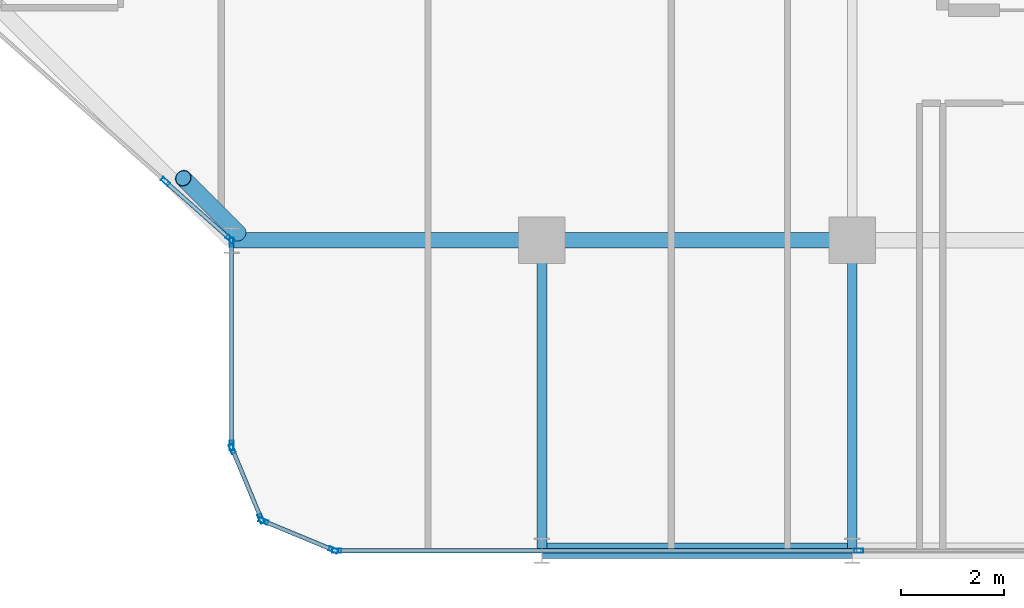
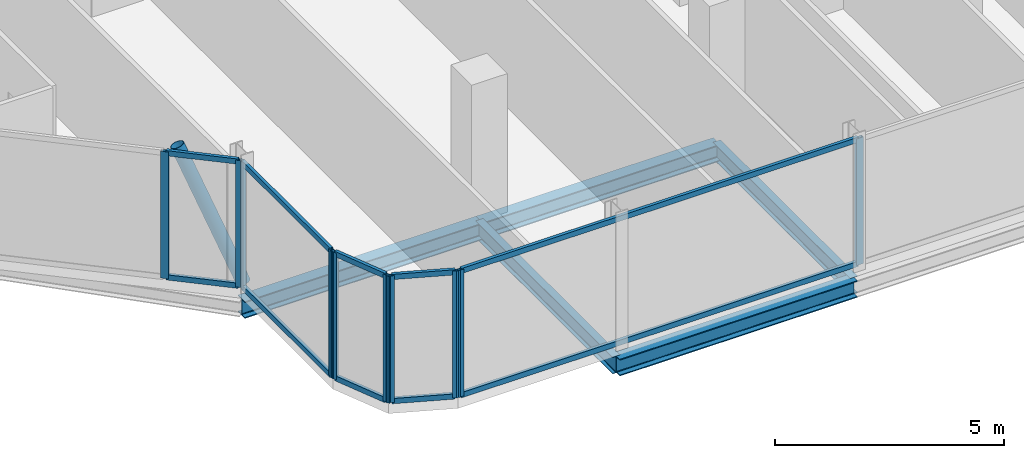
# One storey, part 5 of 32: 21 members, 5 beams, 5 elements without a shape of their own.
"""IFC4 building model written with IfcOpenShell, lengths in metres."""

from ifc_helpers import new_model, si_unit, direction, frame, origin, origin_2d, place, context, subcontext, project, spatial, hollow_rectangle, hollow_circle, i_section, extrude, material, layer, layer_set, material_profile, profile_set, type_object, element, aggregate, save


model = new_model("IFC4")

# Units and contexts
model_context = context("Model", 3, precision=1e-05, world=origin(), true_north=direction((0.0, 1.0)))
body_context = subcontext(model_context, "Body", "Model", "MODEL_VIEW")
ifc_project = project(units=[si_unit("LENGTHUNIT", "METRE"), si_unit("AREAUNIT", "SQUARE_METRE"), si_unit("VOLUMEUNIT", "CUBIC_METRE"), si_unit("PLANEANGLEUNIT", "RADIAN"), si_unit("MASSUNIT", "GRAM", prefix="KILO")], contexts=[model_context])

# Site, building, storey
site_placement = place(None, origin())
site = spatial("IfcSite", under=ifc_project, at=site_placement, CompositionType="ELEMENT")
building_placement = place(site_placement, origin())
building = spatial("IfcBuilding", under=site, at=building_placement, Name="Keshet Zoharim Tower", CompositionType="ELEMENT")
storey_placement = place(building_placement, frame((0.0, 0.0, 137.199951171875)))
storey = spatial("IfcBuildingStorey", under=building, at=storey_placement, Name="L33", CompositionType="ELEMENT", Elevation=137.199951171875)

# Beams
ifc_material_1 = material(Name="Steel S355", Category="steel")
ifc_material_profile_1 = material_profile(ifc_material_1, i_section(OverallWidth=0.18994140625, OverallDepth=0.449951171875, WebThickness=0.009521484375, FlangeThickness=0.0146484375, FilletRadius=0.02099609375, at=origin_2d()), Name="IPE450")
ifc_profile_set_1 = profile_set([ifc_material_profile_1], Name="Steel S355")
beam_type_1 = type_object("IfcBeamType", Name="BM-PRI-IP450", PredefinedType="BEAM", material=ifc_profile_set_1)
for number, where, z_axis, x_axis, name in (
    (1, (27.0, 0.699951171875, -0.5400390625), (0.0, 1.0, 0.0), (-1.0, 0.0, 0.0), "L33 Primary Girder Y-004"),
    (2, (33.0, 0.699951171875, -0.5400390625), (0.0, 1.0, 0.0), (-1.0, 0.0, 0.0), "L33 Primary Girder Y-005"),
):
    element("IfcBeam", number, at=place(storey_placement, frame(where, z_axis=z_axis, x_axis=x_axis)), inside=storey, type_object=beam_type_1, Name=name, PredefinedType="BEAM", context=body_context, shape_type="SweptSolid", body=[
        extrude(i_section(OverallWidth=0.18994140625, OverallDepth=0.449951171875, WebThickness=0.009521484375, FlangeThickness=0.0146484375, FilletRadius=0.02099609375, at=origin_2d()), origin(), (0.0, 0.0, 1.0), 6.0),
    ])
ifc_material_profile_2 = material_profile(ifc_material_1, i_section(OverallWidth=0.300048828125, OverallDepth=0.449951171875, WebThickness=0.013916015625, FlangeThickness=0.02587890625, FilletRadius=0.027099609375, at=origin_2d()), Name="HEB450")
ifc_profile_set_2 = profile_set([ifc_material_profile_2], Name="Steel S355")
beam_type_2 = type_object("IfcBeamType", Name="BM-WEB-HB450", PredefinedType="BEAM", material=ifc_profile_set_2)
for number, where, z_axis, x_axis, name in (
    (3, (27.0, 0.699951171875, -0.5400390625), (1.0, 0.0, 0.0), (0.0, 1.0, 0.0), "L33 Primary Girder X-001"),
    (4, (21.0, 6.699951171875, -0.5400390625), (1.0, 0.0, 0.0), (0.0, 1.0, 0.0), "L33 Primary Girder X-005"),
    (5, (27.0, 6.699951171875, -0.5400390625), (1.0, 0.0, 0.0), (0.0, 1.0, 0.0), "L33 Primary Girder X-006"),
):
    element("IfcBeam", number, at=place(storey_placement, frame(where, z_axis=z_axis, x_axis=x_axis)), inside=storey, type_object=beam_type_2, Name=name, PredefinedType="BEAM", context=body_context, shape_type="SweptSolid", body=[
        extrude(i_section(OverallWidth=0.300048828125, OverallDepth=0.449951171875, WebThickness=0.013916015625, FlangeThickness=0.02587890625, FilletRadius=0.027099609375, at=origin_2d()), origin(), (0.0, 0.0, 1.0), 6.0),
    ])

# Curtain wall, members
ifc_material_2 = material(Name="Aluminium 6063-T6", Category="aluminium")
ifc_layer = layer(ifc_material_2, 0.159912109375)
ifc_layer_set = layer_set([ifc_layer], Name="Aluminium 6063-T6")
curtain_wall_type = type_object("IfcCurtainWallType", Name="CW-SYS-03", PredefinedType="NOTDEFINED", material=ifc_layer_set)
curtain_wall_1_placement = place(storey_placement, origin())
curtain_wall_1 = element("IfcCurtainWall", 6, at=curtain_wall_1_placement, inside=storey, type_object=curtain_wall_type, Name="L33 Unitised Curtain Wall 03 Part 3", PredefinedType="NOTDEFINED")
ifc_material_profile_3 = material_profile(ifc_material_2, hollow_rectangle(XDim=0.080078125, YDim=0.179931640625, WallThickness=0.00439453125, at=origin_2d()), Name="MUL-80x180")
ifc_profile_set_3 = profile_set([ifc_material_profile_3], Name="Aluminium 6063-T6")
member_type_1 = type_object("IfcMemberType", Name="CWM-M18", PredefinedType="MULLION", material=ifc_profile_set_3)
member_1_placement = place(storey_placement, frame((33.1259765625, 0.699951171875, 0.0), z_axis=(0.0, 0.0, 1.0), x_axis=(0.0, -1.0, 0.0)))
member_1 = element("IfcMember", 7, at=member_1_placement, type_object=member_type_1, Name="CW-03 mullion 2", PredefinedType="MULLION", context=body_context, shape_type="SweptSolid", body=[
    extrude(hollow_rectangle(XDim=0.080078125, YDim=0.179931640625, WallThickness=0.00439453125, at=origin_2d()), origin(), (0.0, 0.0, 1.0), 3.385009765625),
])
member_2_placement = place(storey_placement, frame((23.034912109375, 0.699951171875, 0.0), z_axis=(0.0, 0.0, 1.0), x_axis=(0.0, -1.0, 0.0)))
member_2 = element("IfcMember", 8, at=member_2_placement, type_object=member_type_1, Name="CW-03 mullion 3", PredefinedType="MULLION", context=body_context, shape_type="SweptSolid", body=[
    extrude(hollow_rectangle(XDim=0.080078125, YDim=0.179931640625, WallThickness=0.00439453125, at=origin_2d()), origin(), (0.0, 0.0, 1.0), 3.385009765625),
])

curtain_wall_2_placement = place(storey_placement, origin())
curtain_wall_2 = element("IfcCurtainWall", 9, at=curtain_wall_2_placement, inside=storey, type_object=curtain_wall_type, Name="L33 Unitised Curtain Wall 04", PredefinedType="NOTDEFINED")
member_3_placement = place(storey_placement, frame((22.9677734375, 0.71337890625, 0.0), z_axis=(0.0, 0.0, 1.0), x_axis=(-0.382851849847, -0.92380975372, 0.0)))
member_3 = element("IfcMember", 10, at=member_3_placement, type_object=member_type_1, Name="CW-03 mullion 1", PredefinedType="MULLION", context=body_context, shape_type="SweptSolid", body=[
    extrude(hollow_rectangle(XDim=0.080078125, YDim=0.179931640625, WallThickness=0.00439453125, at=origin_2d()), origin(), (0.0, 0.0, 1.0), 3.385009765625),
])
member_4_placement = place(storey_placement, frame((21.618408203125, 1.272705078125, 0.0), z_axis=(0.0, 0.0, 1.0), x_axis=(-0.382851849847, -0.92380975372, 0.0)))
member_4 = element("IfcMember", 11, at=member_4_placement, type_object=member_type_1, Name="CW-03 mullion 2", PredefinedType="MULLION", context=body_context, shape_type="SweptSolid", body=[
    extrude(hollow_rectangle(XDim=0.080078125, YDim=0.179931640625, WallThickness=0.00439453125, at=origin_2d()), origin(), (0.0, 0.0, 1.0), 3.385009765625),
])

curtain_wall_3_placement = place(storey_placement, origin())
curtain_wall_3 = element("IfcCurtainWall", 12, at=curtain_wall_3_placement, inside=storey, type_object=curtain_wall_type, Name="L33 Unitised Curtain Wall 05", PredefinedType="NOTDEFINED")
member_5_placement = place(storey_placement, frame((21.572509765625, 1.318359375, 0.0), z_axis=(0.0, 0.0, 1.0), x_axis=(-0.92380975372, -0.382851849847, 0.0)))
member_5 = element("IfcMember", 13, at=member_5_placement, type_object=member_type_1, Name="CW-03 mullion 1", PredefinedType="MULLION", context=body_context, shape_type="SweptSolid", body=[
    extrude(hollow_rectangle(XDim=0.080078125, YDim=0.179931640625, WallThickness=0.00439453125, at=origin_2d()), origin(), (0.0, 0.0, 1.0), 3.385009765625),
])
member_6_placement = place(storey_placement, frame((21.013427734375, 2.667724609375, 0.0), z_axis=(0.0, 0.0, 1.0), x_axis=(-0.92380975372, -0.382851849847, 0.0)))
member_6 = element("IfcMember", 14, at=member_6_placement, type_object=member_type_1, Name="CW-03 mullion 2", PredefinedType="MULLION", context=body_context, shape_type="SweptSolid", body=[
    extrude(hollow_rectangle(XDim=0.080078125, YDim=0.179931640625, WallThickness=0.00439453125, at=origin_2d()), origin(), (0.0, 0.0, 1.0), 3.385009765625),
])

curtain_wall_4_placement = place(storey_placement, origin())
curtain_wall_4 = element("IfcCurtainWall", 15, at=curtain_wall_4_placement, inside=storey, type_object=curtain_wall_type, Name="L33 Unitised Curtain Wall 06", PredefinedType="NOTDEFINED")
member_7_placement = place(storey_placement, frame((21.0, 2.735107421875, 0.0), z_axis=(0.0, 0.0, 1.0), x_axis=(-1.0, 0.0, 0.0)))
member_7 = element("IfcMember", 16, at=member_7_placement, type_object=member_type_1, Name="CW-03 mullion 1", PredefinedType="MULLION", context=body_context, shape_type="SweptSolid", body=[
    extrude(hollow_rectangle(XDim=0.080078125, YDim=0.179931640625, WallThickness=0.00439453125, at=origin_2d()), origin(), (0.0, 0.0, 1.0), 3.385009765625),
])
member_8_placement = place(storey_placement, frame((21.0, 6.6650390625, 0.0), z_axis=(0.0, 0.0, 1.0), x_axis=(-1.0, 0.0, 0.0)))
member_8 = element("IfcMember", 17, at=member_8_placement, type_object=member_type_1, Name="CW-03 mullion 2", PredefinedType="MULLION", context=body_context, shape_type="SweptSolid", body=[
    extrude(hollow_rectangle(XDim=0.080078125, YDim=0.179931640625, WallThickness=0.00439453125, at=origin_2d()), origin(), (0.0, 0.0, 1.0), 3.385009765625),
])

curtain_wall_5_placement = place(storey_placement, origin())
curtain_wall_5 = element("IfcCurtainWall", 18, at=curtain_wall_5_placement, inside=storey, type_object=curtain_wall_type, Name="L33 Unitised Curtain Wall 07", PredefinedType="NOTDEFINED")
member_9_placement = place(storey_placement, frame((20.973876953125, 6.72314453125, 0.0), z_axis=(0.0, 0.0, 1.0), x_axis=(-0.664367393393, -0.747406159057, 0.0)))
member_9 = element("IfcMember", 19, at=member_9_placement, type_object=member_type_1, Name="CW-03 mullion 1", PredefinedType="MULLION", context=body_context, shape_type="SweptSolid", body=[
    extrude(hollow_rectangle(XDim=0.080078125, YDim=0.179931640625, WallThickness=0.00439453125, at=origin_2d()), origin(), (0.0, 0.0, 1.0), 3.385009765625),
])
member_10_placement = place(storey_placement, frame((19.720947265625, 7.8369140625, 0.0), z_axis=(0.0, 0.0, 1.0), x_axis=(-0.664367393393, -0.747406159057, 0.0)))
member_10 = element("IfcMember", 20, at=member_10_placement, type_object=member_type_1, Name="CW-03 mullion 2", PredefinedType="MULLION", context=body_context, shape_type="SweptSolid", body=[
    extrude(hollow_rectangle(XDim=0.080078125, YDim=0.179931640625, WallThickness=0.00439453125, at=origin_2d()), origin(), (0.0, 0.0, 1.0), 3.385009765625),
])

# Member
ifc_material_profile_4 = material_profile(ifc_material_2, hollow_rectangle(XDim=0.080078125, YDim=0.139892578125, WallThickness=0.00390625, at=origin_2d()), Name="TRN-80x140")
ifc_profile_set_4 = profile_set([ifc_material_profile_4], Name="Aluminium 6063-T6")
member_type_2 = type_object("IfcMemberType", Name="CWT-T14", PredefinedType="USERDEFINED", material=ifc_profile_set_4)
member_11_placement = place(storey_placement, frame((33.091064453125, 0.699951171875, 0.03515625), z_axis=(-1.0, 0.0, 0.0), x_axis=(0.0, -1.0, 0.0)))
member_11 = element("IfcMember", 21, at=member_11_placement, type_object=member_type_2, Name="CW-03 transom 2.1", ObjectType="TRANSOM", PredefinedType="USERDEFINED", context=body_context, shape_type="SweptSolid", body=[
    extrude(hollow_rectangle(XDim=0.080078125, YDim=0.139892578125, WallThickness=0.00390625, at=origin_2d()), origin(), (0.0, 0.0, 1.0), 10.02099609375),
])

member_12_placement = place(storey_placement, frame((33.091064453125, 0.699951171875, 3.35009765625), z_axis=(-1.0, 0.0, 0.0), x_axis=(0.0, -1.0, 0.0)))
member_12 = element("IfcMember", 22, at=member_12_placement, type_object=member_type_2, Name="CW-03 transom 2.2", ObjectType="TRANSOM", PredefinedType="USERDEFINED", context=body_context, shape_type="SweptSolid", body=[
    extrude(hollow_rectangle(XDim=0.080078125, YDim=0.139892578125, WallThickness=0.00390625, at=origin_2d()), origin(), (0.0, 0.0, 1.0), 10.02099609375),
])

aggregate(curtain_wall_1, [member_1, member_2, member_11, member_12])

member_13_placement = place(storey_placement, frame((22.935302734375, 0.726806640625, 0.03515625), z_axis=(-0.92379209995, 0.382894445076, 0.0), x_axis=(-0.382894445076, -0.92379209995, 0.0)))
member_13 = element("IfcMember", 23, at=member_13_placement, type_object=member_type_2, Name="CW-03 transom 1.1", ObjectType="TRANSOM", PredefinedType="USERDEFINED", context=body_context, shape_type="SweptSolid", body=[
    extrude(hollow_rectangle(XDim=0.080078125, YDim=0.139892578125, WallThickness=0.00390625, at=origin_2d()), origin(), (0.0, 0.0, 1.0), 1.390625),
])

member_14_placement = place(storey_placement, frame((22.935302734375, 0.726806640625, 3.35009765625), z_axis=(-0.92379209995, 0.382894445076, 0.0), x_axis=(-0.382894445076, -0.92379209995, 0.0)))
member_14 = element("IfcMember", 24, at=member_14_placement, type_object=member_type_2, Name="CW-03 transom 1.2", ObjectType="TRANSOM", PredefinedType="USERDEFINED", context=body_context, shape_type="SweptSolid", body=[
    extrude(hollow_rectangle(XDim=0.080078125, YDim=0.139892578125, WallThickness=0.00390625, at=origin_2d()), origin(), (0.0, 0.0, 1.0), 1.390625),
])

aggregate(curtain_wall_2, [member_3, member_4, member_13, member_14])

member_15_placement = place(storey_placement, frame((21.55908203125, 1.3505859375, 0.03515625), z_axis=(-0.382744609247, 0.923854189844, 0.0), x_axis=(-0.923854189844, -0.382744609247, 0.0)))
member_15 = element("IfcMember", 25, at=member_15_placement, type_object=member_type_2, Name="CW-03 transom 1.1", ObjectType="TRANSOM", PredefinedType="USERDEFINED", context=body_context, shape_type="SweptSolid", body=[
    extrude(hollow_rectangle(XDim=0.080078125, YDim=0.139892578125, WallThickness=0.00390625, at=origin_2d()), origin(), (0.0, 0.0, 1.0), 1.390625),
])

member_16_placement = place(storey_placement, frame((21.55908203125, 1.3505859375, 3.35009765625), z_axis=(-0.382744609247, 0.923854189844, 0.0), x_axis=(-0.923854189844, -0.382744609247, 0.0)))
member_16 = element("IfcMember", 26, at=member_16_placement, type_object=member_type_2, Name="CW-03 transom 1.2", ObjectType="TRANSOM", PredefinedType="USERDEFINED", context=body_context, shape_type="SweptSolid", body=[
    extrude(hollow_rectangle(XDim=0.080078125, YDim=0.139892578125, WallThickness=0.00390625, at=origin_2d()), origin(), (0.0, 0.0, 1.0), 1.390625),
])

aggregate(curtain_wall_3, [member_5, member_6, member_15, member_16])

member_17_placement = place(storey_placement, frame((21.0, 2.77001953125, 0.03515625), z_axis=(0.0, 1.0, 0.0), x_axis=(-1.0, 0.0, 0.0)))
member_17 = element("IfcMember", 27, at=member_17_placement, type_object=member_type_2, Name="CW-03 transom 1.1", ObjectType="TRANSOM", PredefinedType="USERDEFINED", context=body_context, shape_type="SweptSolid", body=[
    extrude(hollow_rectangle(XDim=0.080078125, YDim=0.139892578125, WallThickness=0.00390625, at=origin_2d()), origin(), (0.0, 0.0, 1.0), 3.85986328125),
])

member_18_placement = place(storey_placement, frame((21.0, 2.77001953125, 3.35009765625), z_axis=(0.0, 1.0, 0.0), x_axis=(-1.0, 0.0, 0.0)))
member_18 = element("IfcMember", 28, at=member_18_placement, type_object=member_type_2, Name="CW-03 transom 1.2", ObjectType="TRANSOM", PredefinedType="USERDEFINED", context=body_context, shape_type="SweptSolid", body=[
    extrude(hollow_rectangle(XDim=0.080078125, YDim=0.139892578125, WallThickness=0.00390625, at=origin_2d()), origin(), (0.0, 0.0, 1.0), 3.85986328125),
])

aggregate(curtain_wall_4, [member_7, member_8, member_17, member_18])

member_19_placement = place(storey_placement, frame((20.94775390625, 6.74658203125, 0.03515625), z_axis=(-0.747459638873, 0.664307224299, 0.0), x_axis=(-0.664307224299, -0.747459638873, 0.0)))
member_19 = element("IfcMember", 29, at=member_19_placement, type_object=member_type_2, Name="CW-03 transom 1.1", ObjectType="TRANSOM", PredefinedType="USERDEFINED", context=body_context, shape_type="SweptSolid", body=[
    extrude(hollow_rectangle(XDim=0.080078125, YDim=0.139892578125, WallThickness=0.00390625, at=origin_2d()), origin(), (0.0, 0.0, 1.0), 1.60595703125),
])

member_20_placement = place(storey_placement, frame((20.94775390625, 6.74658203125, 3.35009765625), z_axis=(-0.747459638873, 0.664307224299, 0.0), x_axis=(-0.664307224299, -0.747459638873, 0.0)))
member_20 = element("IfcMember", 30, at=member_20_placement, type_object=member_type_2, Name="CW-03 transom 1.2", ObjectType="TRANSOM", PredefinedType="USERDEFINED", context=body_context, shape_type="SweptSolid", body=[
    extrude(hollow_rectangle(XDim=0.080078125, YDim=0.139892578125, WallThickness=0.00390625, at=origin_2d()), origin(), (0.0, 0.0, 1.0), 1.60595703125),
])

aggregate(curtain_wall_5, [member_9, member_10, member_19, member_20])

ifc_material_profile_5 = material_profile(ifc_material_1, hollow_circle(Radius=0.161865234375, WallThickness=0.012451171875, at=origin_2d()), Name="CHS323x12.5")
ifc_profile_set_5 = profile_set([ifc_material_profile_5], Name="Steel S355")
member_type_3 = type_object("IfcMemberType", Name="MB-BR-C323", PredefinedType="BRACE", material=ifc_profile_set_5)
member_21_placement = place(storey_placement, frame((21.1259765625, 6.842041015625, 0.0), z_axis=(-0.286558246199, 0.286558246199, 0.914203884848), x_axis=(-0.707106781187, -0.707106781187, 0.0)))
element("IfcMember", 31, at=member_21_placement, inside=storey, type_object=member_type_3, Name="L33 Perimeter Tube Brace 01", PredefinedType="BRACE", context=body_context, shape_type="SweptSolid", body=[
    extrude(hollow_circle(Radius=0.161865234375, WallThickness=0.012451171875, at=origin_2d()), origin(), (0.0, 0.0, 1.0), 3.70263671875),
])

save(model, "model.ifc")
